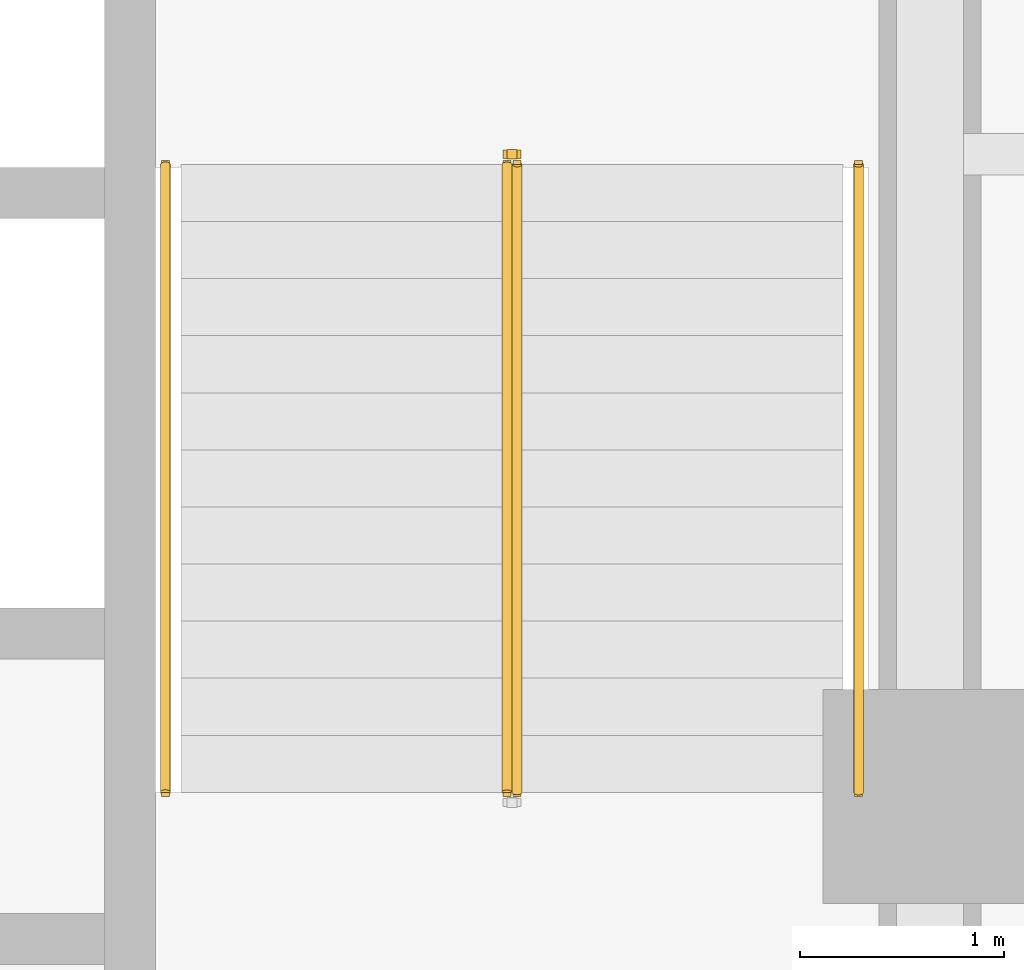
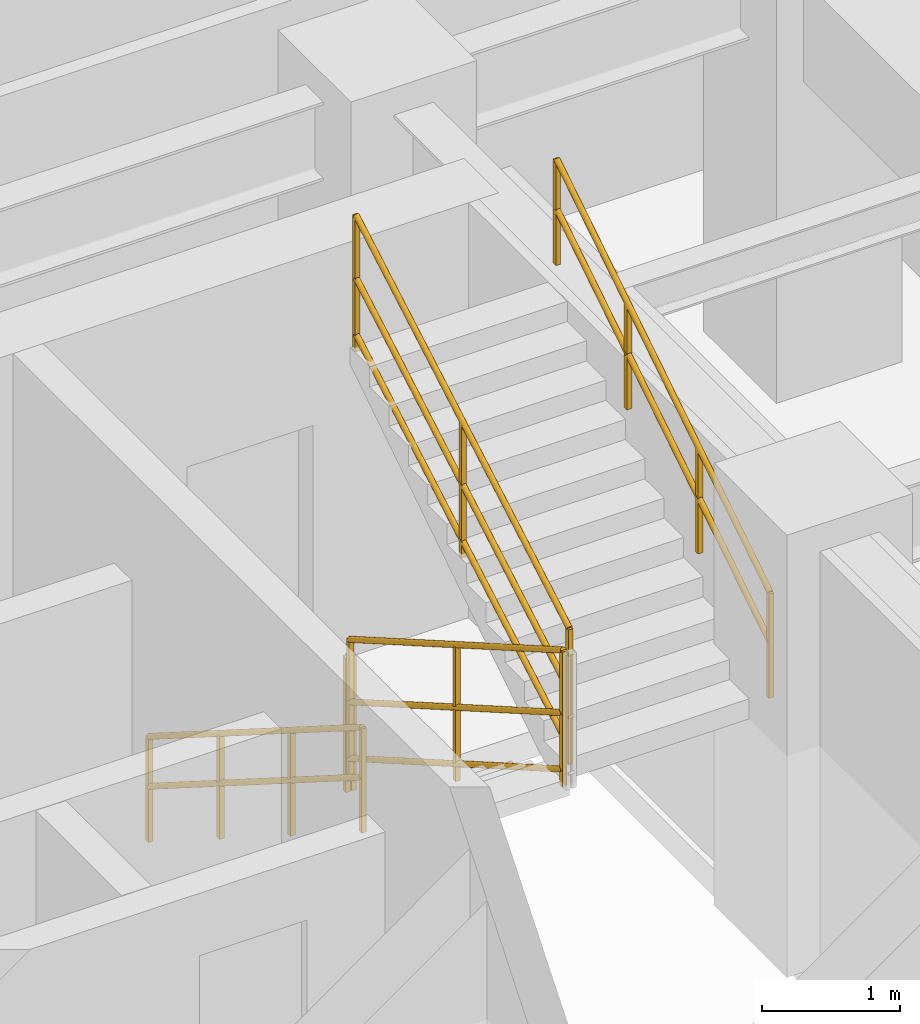
# One storey, part 9 of 10: 5 railings.
"""IFC4 building model written with IfcOpenShell, lengths in metres."""

from ifc_helpers import new_model, entity, si_unit, converted_unit, direction, frame, origin_with_axes, origin_2d_with_axis, place, context, subcontext, project, spatial, rectangle, circle, extrude, material, type_object, element, save


model = new_model("IFC4")

# Units and contexts
model_context = context("Model", 3, precision=1e-05, world=origin_with_axes(), true_north=direction((0.0, 1.0)))
body_context = subcontext(model_context, "Body", "Model", "MODEL_VIEW")
ifc_project = project(units=[si_unit("LENGTHUNIT", "METRE"), si_unit("AREAUNIT", "SQUARE_METRE"), si_unit("VOLUMEUNIT", "CUBIC_METRE"), converted_unit("PLANEANGLEUNIT", "DEGREE", entity("IfcPlaneAngleMeasure", 0.017453292519943295), si_unit("PLANEANGLEUNIT", "RADIAN"), dimensions=[0, 0, 0, 0, 0, 0, 0]), si_unit("MASSUNIT", "GRAM", prefix="KILO"), si_unit("THERMODYNAMICTEMPERATUREUNIT", "KELVIN")], contexts=[model_context])

# Site, building, storey
site_placement = place(None, origin_with_axes())
site = spatial("IfcSite", under=ifc_project, at=site_placement, CompositionType="ELEMENT")
building_placement = place(site_placement, origin_with_axes())
building = spatial("IfcBuilding", under=site, at=building_placement, Name="Varnlund Millrace Tower", CompositionType="ELEMENT")
storey_placement = place(building_placement, frame((0.0, 0.0, 179.7), z_axis=(0.0, 0.0, 1.0), x_axis=(1.0, 0.0, 0.0)))
storey = spatial("IfcBuildingStorey", under=building, at=storey_placement, Name="L44", CompositionType="ELEMENT", Elevation=179.7)

# Railings
ifc_material_1 = material(Name="Painted steel stair well balustrade guard", Category="steel")
railing_type_1 = type_object("IfcRailingType", Name="Type-StairGuard-1150", PredefinedType="GUARDRAIL", material=ifc_material_1)
railing_1_placement = place(storey_placement, frame((0.0, 0.0, -179.7), z_axis=(0.0, 0.0, 1.0), x_axis=(1.0, 0.0, 0.0)))
element("IfcRailing", 1, at=railing_1_placement, inside=storey, type_object=railing_type_1, Name="Type-StairGuard-1150", PredefinedType="GUARDRAIL", context=body_context, shape_type="SweptSolid", body=[
    extrude(circle(Radius=0.024, at=origin_2d_with_axis()), frame((45.975, 21.1, 181.027273), z_axis=(0.0, -0.866696, 0.498836), x_axis=(1.0, 0.0, 0.0)), (0.0, 0.0, 1.0), 3.553725),
    extrude(circle(Radius=0.024, at=origin_2d_with_axis()), frame((45.975, 21.1, 179.977273), z_axis=(0.0, -0.866696, 0.498836), x_axis=(1.0, 0.0, 0.0)), (0.0, 0.0, 1.0), 3.553725),
    extrude(circle(Radius=0.024, at=origin_2d_with_axis()), frame((45.975, 21.1, 180.475273), z_axis=(0.0, -0.866696, 0.498836), x_axis=(1.0, 0.0, 0.0)), (0.0, 0.0, 1.0), 3.553725),
    extrude(rectangle(XDim=0.04, YDim=0.04, at=origin_2d_with_axis()), frame((45.975, 21.1, 179.837273), z_axis=(0.0, 0.0, 1.0), x_axis=(1.0, 0.0, 0.0)), (0.0, 0.0, 1.0), 1.19),
    extrude(rectangle(XDim=0.04, YDim=0.04, at=origin_2d_with_axis()), frame((45.975, 19.56, 180.723637), z_axis=(0.0, 0.0, 1.0), x_axis=(1.0, 0.0, 0.0)), (0.0, 0.0, 1.0), 1.19),
    extrude(rectangle(XDim=0.04, YDim=0.04, at=origin_2d_with_axis()), frame((45.975, 18.02, 181.61), z_axis=(0.0, 0.0, 1.0), x_axis=(1.0, 0.0, 0.0)), (0.0, 0.0, 1.0), 1.19),
])
railing_2_placement = place(storey_placement, frame((0.0, 0.0, -179.7), z_axis=(0.0, 0.0, 1.0), x_axis=(1.0, 0.0, 0.0)))
element("IfcRailing", 2, at=railing_2_placement, inside=storey, type_object=railing_type_1, Name="Type-StairGuard-1150", PredefinedType="GUARDRAIL", context=body_context, shape_type="SweptSolid", body=[
    extrude(circle(Radius=0.024, at=origin_2d_with_axis()), frame((46.025, 18.02, 182.977273), z_axis=(0.0, 0.866696, 0.498836), x_axis=(-1.0, 0.0, 0.0)), (0.0, 0.0, 1.0), 3.553725),
    extrude(circle(Radius=0.024, at=origin_2d_with_axis()), frame((46.025, 18.02, 181.927273), z_axis=(0.0, 0.866696, 0.498836), x_axis=(-1.0, 0.0, 0.0)), (0.0, 0.0, 1.0), 3.553725),
    extrude(circle(Radius=0.024, at=origin_2d_with_axis()), frame((46.025, 18.02, 182.425273), z_axis=(0.0, 0.866696, 0.498836), x_axis=(-1.0, 0.0, 0.0)), (0.0, 0.0, 1.0), 3.553725),
    extrude(rectangle(XDim=0.04, YDim=0.04, at=origin_2d_with_axis()), frame((46.025, 18.02, 181.787273), z_axis=(0.0, 0.0, 1.0), x_axis=(1.0, 0.0, 0.0)), (0.0, 0.0, 1.0), 1.19),
    extrude(rectangle(XDim=0.04, YDim=0.04, at=origin_2d_with_axis()), frame((46.025, 19.56, 182.673637), z_axis=(0.0, 0.0, 1.0), x_axis=(1.0, 0.0, 0.0)), (0.0, 0.0, 1.0), 1.19),
    extrude(rectangle(XDim=0.04, YDim=0.04, at=origin_2d_with_axis()), frame((46.025, 21.1, 183.56), z_axis=(0.0, 0.0, 1.0), x_axis=(1.0, 0.0, 0.0)), (0.0, 0.0, 1.0), 1.19),
])
railing_3_placement = place(storey_placement, frame((0.0, 0.0, -179.7), z_axis=(0.0, 0.0, 1.0), x_axis=(1.0, 0.0, 0.0)))
element("IfcRailing", 3, at=railing_3_placement, inside=storey, type_object=railing_type_1, Name="Type-StairGuard-1150", PredefinedType="GUARDRAIL", context=body_context, shape_type="SweptSolid", body=[
    extrude(circle(Radius=0.024, at=origin_2d_with_axis()), frame((46.025, 21.15, 180.85), z_axis=(-1.0, 0.0, 0.0), x_axis=(0.0, -1.0, 0.0)), (0.0, 0.0, 1.0), 0.05),
    extrude(circle(Radius=0.024, at=origin_2d_with_axis()), frame((46.025, 21.15, 179.8), z_axis=(-1.0, 0.0, 0.0), x_axis=(0.0, -1.0, 0.0)), (0.0, 0.0, 1.0), 0.05),
    extrude(circle(Radius=0.024, at=origin_2d_with_axis()), frame((46.025, 21.15, 180.298), z_axis=(-1.0, 0.0, 0.0), x_axis=(0.0, -1.0, 0.0)), (0.0, 0.0, 1.0), 0.05),
    extrude(rectangle(XDim=0.04, YDim=0.04, at=origin_2d_with_axis()), frame((46.025, 21.15, 179.66), z_axis=(0.0, 0.0, 1.0), x_axis=(1.0, 0.0, 0.0)), (0.0, 0.0, 1.0), 1.19),
    extrude(rectangle(XDim=0.04, YDim=0.04, at=origin_2d_with_axis()), frame((45.975, 21.15, 179.66), z_axis=(0.0, 0.0, 1.0), x_axis=(1.0, 0.0, 0.0)), (0.0, 0.0, 1.0), 1.19),
])
ifc_material_2 = material(Name="Brushed architectural bronze stair handrail", Category="aluminium")
railing_type_2 = type_object("IfcRailingType", Name="Type-StairHandrail-900", PredefinedType="HANDRAIL", material=ifc_material_2)
railing_4_placement = place(storey_placement, frame((0.0, 0.0, -179.7), z_axis=(0.0, 0.0, 1.0), x_axis=(1.0, 0.0, 0.0)))
element("IfcRailing", 4, at=railing_4_placement, inside=storey, type_object=railing_type_2, Name="Type-StairHandrail-900", PredefinedType="HANDRAIL", context=body_context, shape_type="SweptSolid", body=[
    extrude(circle(Radius=0.024, at=origin_2d_with_axis()), frame((44.3, 21.1, 180.756995), z_axis=(0.0, -0.844902, 0.534922), x_axis=(1.0, 0.0, 0.0)), (0.0, 0.0, 1.0), 3.645394),
    extrude(circle(Radius=0.024, at=origin_2d_with_axis()), frame((44.3, 21.1, 180.317134), z_axis=(0.0, -0.844902, 0.534922), x_axis=(1.0, 0.0, 0.0)), (0.0, 0.0, 1.0), 3.645394),
    extrude(rectangle(XDim=0.04, YDim=0.04, at=origin_2d_with_axis()), frame((44.3, 21.1, 179.837273), z_axis=(0.0, 0.0, 1.0), x_axis=(1.0, 0.0, 0.0)), (0.0, 0.0, 1.0), 0.919722),
    extrude(rectangle(XDim=0.04, YDim=0.04, at=origin_2d_with_axis()), frame((44.3, 20.073333, 180.487273), z_axis=(0.0, 0.0, 1.0), x_axis=(1.0, 0.0, 0.0)), (0.0, 0.0, 1.0), 0.919722),
    extrude(rectangle(XDim=0.04, YDim=0.04, at=origin_2d_with_axis()), frame((44.3, 19.046667, 181.137273), z_axis=(0.0, 0.0, 1.0), x_axis=(1.0, 0.0, 0.0)), (0.0, 0.0, 1.0), 0.919722),
    extrude(rectangle(XDim=0.04, YDim=0.04, at=origin_2d_with_axis()), frame((44.3, 18.02, 181.787273), z_axis=(0.0, 0.0, 1.0), x_axis=(1.0, 0.0, 0.0)), (0.0, 0.0, 1.0), 0.919722),
])
railing_5_placement = place(storey_placement, frame((0.0, 0.0, -179.7), z_axis=(0.0, 0.0, 1.0), x_axis=(1.0, 0.0, 0.0)))
element("IfcRailing", 5, at=railing_5_placement, inside=storey, type_object=railing_type_2, Name="Type-StairHandrail-900", PredefinedType="HANDRAIL", context=body_context, shape_type="SweptSolid", body=[
    extrude(circle(Radius=0.024, at=origin_2d_with_axis()), frame((47.7, 18.02, 182.706995), z_axis=(0.0, 0.844902, 0.534922), x_axis=(-1.0, 0.0, 0.0)), (0.0, 0.0, 1.0), 3.645394),
    extrude(circle(Radius=0.024, at=origin_2d_with_axis()), frame((47.7, 18.02, 182.267134), z_axis=(0.0, 0.844902, 0.534922), x_axis=(-1.0, 0.0, 0.0)), (0.0, 0.0, 1.0), 3.645394),
    extrude(rectangle(XDim=0.04, YDim=0.04, at=origin_2d_with_axis()), frame((47.7, 18.02, 181.787273), z_axis=(0.0, 0.0, 1.0), x_axis=(1.0, 0.0, 0.0)), (0.0, 0.0, 1.0), 0.919722),
    extrude(rectangle(XDim=0.04, YDim=0.04, at=origin_2d_with_axis()), frame((47.7, 19.046667, 182.437273), z_axis=(0.0, 0.0, 1.0), x_axis=(1.0, 0.0, 0.0)), (0.0, 0.0, 1.0), 0.919722),
    extrude(rectangle(XDim=0.04, YDim=0.04, at=origin_2d_with_axis()), frame((47.7, 20.073333, 183.087273), z_axis=(0.0, 0.0, 1.0), x_axis=(1.0, 0.0, 0.0)), (0.0, 0.0, 1.0), 0.919722),
    extrude(rectangle(XDim=0.04, YDim=0.04, at=origin_2d_with_axis()), frame((47.7, 21.1, 183.737273), z_axis=(0.0, 0.0, 1.0), x_axis=(1.0, 0.0, 0.0)), (0.0, 0.0, 1.0), 0.919722),
])

save(model, "model.ifc")
